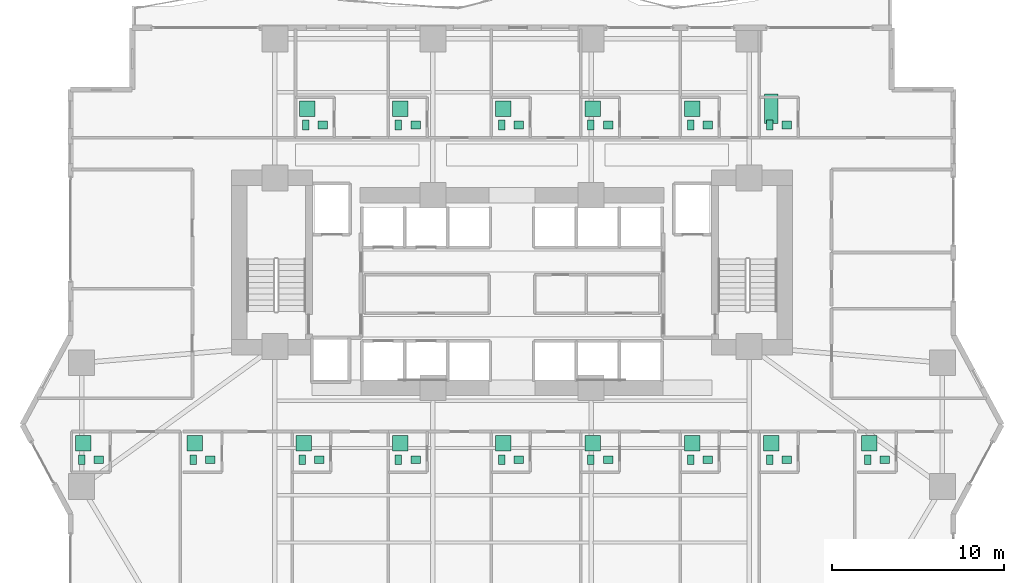
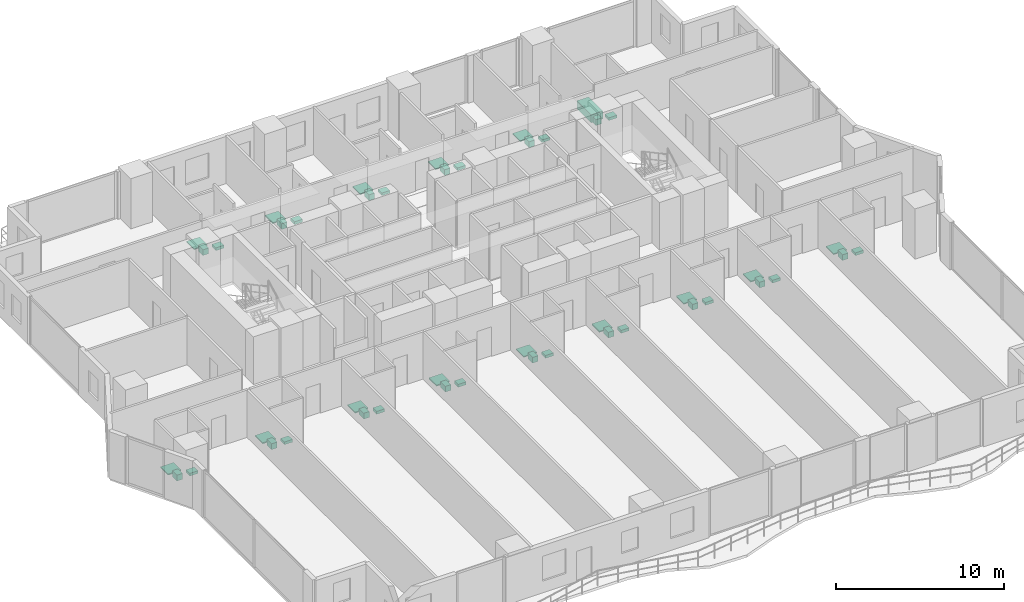
# One storey, part 28 of 28: 45 sanitary terminals.
"""IFC4 building model written with IfcOpenShell, lengths in metres."""

from ifc_helpers import new_model, si_unit, direction, frame, origin, origin_2d, place, context, subcontext, project, spatial, rectangle, extrude, material, type_object, element, save


model = new_model("IFC4")

# Units and contexts
model_context = context("Model", 3, precision=1e-05, world=origin(), true_north=direction((0.0, 1.0)))
body_context = subcontext(model_context, "Body", "Model", "MODEL_VIEW")
ifc_project = project(units=[si_unit("LENGTHUNIT", "METRE"), si_unit("AREAUNIT", "SQUARE_METRE"), si_unit("VOLUMEUNIT", "CUBIC_METRE"), si_unit("PLANEANGLEUNIT", "RADIAN"), si_unit("MASSUNIT", "GRAM", prefix="KILO")], contexts=[model_context])

# Site, building, storey
site_placement = place(None, origin())
site = spatial("IfcSite", under=ifc_project, at=site_placement, CompositionType="ELEMENT")
building_placement = place(site_placement, origin())
building = spatial("IfcBuilding", under=site, at=building_placement, Name="Zuhayl Quay Hotel", CompositionType="ELEMENT")
storey_placement = place(building_placement, frame((0.0, 0.0, 31.25)))
storey = spatial("IfcBuildingStorey", under=building, at=storey_placement, Name="L06", CompositionType="ELEMENT", Elevation=31.25)

# Sanitary terminals
ifc_material = material(Name="Vitreous Porcelain Sanitaryware")
sanitary_terminal_type_1 = type_object("IfcSanitaryTerminalType", Name="SAN_BASIN", PredefinedType="WASHHANDBASIN", material=ifc_material)
for number, where, z_axis, x_axis, name in (
    (1, (-11.010009765625, 17.43994140625, 0.0), (0.0, 0.0, 1.0), (1.0, 0.0, 0.0), "L06 Sanitary Fixture WASHHANDBASIN"),
    (2, (-5.610107421875, 17.43994140625, 0.0), (0.0, 0.0, 1.0), (1.0, 0.0, 0.0), "L06 Sanitary Fixture WASHHANDBASIN"),
    (3, (0.389892578125, 17.43994140625, 0.0), (0.0, 0.0, 1.0), (1.0, 0.0, 0.0), "L06 Sanitary Fixture WASHHANDBASIN"),
    (4, (5.590087890625, 17.43994140625, 0.0), (0.0, 0.0, 1.0), (1.0, 0.0, 0.0), "L06 Sanitary Fixture WASHHANDBASIN"),
    (5, (11.389892578125, 17.43994140625, 0.0), (0.0, 0.0, 1.0), (1.0, 0.0, 0.0), "L06 Sanitary Fixture WASHHANDBASIN"),
    (6, (15.989990234375, 17.43994140625, 0.0), (0.0, 0.0, 1.0), (1.0, 0.0, 0.0), "L06 Sanitary Fixture WASHHANDBASIN"),
    (7, (-24.050048828125, -2.0400390625, 0.0), (0.0, 0.0, 1.0), (1.0, 0.0, 0.0), "L06 Sanitary Fixture WASHHANDBASIN"),
    (8, (-17.550048828125, -2.0400390625, 0.0), (0.0, 0.0, 1.0), (1.0, 0.0, 0.0), "L06 Sanitary Fixture WASHHANDBASIN"),
    (9, (-11.2099609375, -2.0400390625, 0.0), (0.0, 0.0, 1.0), (1.0, 0.0, 0.0), "L06 Sanitary Fixture WASHHANDBASIN"),
    (10, (-5.610107421875, -2.0400390625, 0.0), (0.0, 0.0, 1.0), (1.0, 0.0, 0.0), "L06 Sanitary Fixture WASHHANDBASIN"),
    (11, (0.389892578125, -2.0400390625, 0.0), (0.0, 0.0, 1.0), (1.0, 0.0, 0.0), "L06 Sanitary Fixture WASHHANDBASIN"),
    (12, (5.590087890625, -2.0400390625, 0.0), (0.0, 0.0, 1.0), (1.0, 0.0, 0.0), "L06 Sanitary Fixture WASHHANDBASIN"),
    (13, (11.389892578125, -2.0400390625, 0.0), (0.0, 0.0, 1.0), (1.0, 0.0, 0.0), "L06 Sanitary Fixture WASHHANDBASIN"),
    (14, (15.989990234375, -2.0400390625, 0.0), (0.0, 0.0, 1.0), (1.0, 0.0, 0.0), "L06 Sanitary Fixture WASHHANDBASIN"),
    (15, (21.68994140625, -2.0400390625, 0.0), (0.0, 0.0, 1.0), (1.0, 0.0, 0.0), "L06 Sanitary Fixture WASHHANDBASIN"),
):
    element("IfcSanitaryTerminal", number, at=place(storey_placement, frame(where, z_axis=z_axis, x_axis=x_axis)), inside=storey, type_object=sanitary_terminal_type_1, Name=name, PredefinedType="WASHHANDBASIN", context=body_context, shape_type="SweptSolid", body=[
        extrude(rectangle(XDim=0.550048828125, YDim=0.449951171875, at=origin_2d()), origin(), (0.0, 0.0, 1.0), 0.199951171875),
    ])
sanitary_terminal_type_2 = type_object("IfcSanitaryTerminalType", Name="SAN_BATH", PredefinedType="BATH", material=ifc_material)
sanitary_terminal_placement = place(storey_placement, frame((15.090087890625, 18.389892578125, 0.0), z_axis=(0.0, 0.0, 1.0), x_axis=(1.0, 0.0, 0.0)))
element("IfcSanitaryTerminal", 16, at=sanitary_terminal_placement, inside=storey, type_object=sanitary_terminal_type_2, Name="L06 Sanitary Fixture BATH", PredefinedType="BATH", context=body_context, shape_type="SweptSolid", body=[
    extrude(rectangle(XDim=0.800048828125, YDim=1.699951171875, at=origin_2d()), origin(), (0.0, 0.0, 1.0), 0.580078125),
])
sanitary_terminal_type_3 = type_object("IfcSanitaryTerminalType", Name="SAN_SHOWER", PredefinedType="SHOWER", material=ifc_material)
for number, where, z_axis, x_axis, name in (
    (17, (-11.909912109375, 18.389892578125, 0.0), (0.0, 0.0, 1.0), (1.0, 0.0, 0.0), "L06 Sanitary Fixture SHOWER"),
    (18, (-6.510009765625, 18.389892578125, 0.0), (0.0, 0.0, 1.0), (1.0, 0.0, 0.0), "L06 Sanitary Fixture SHOWER"),
    (19, (-0.510009765625, 18.389892578125, 0.0), (0.0, 0.0, 1.0), (1.0, 0.0, 0.0), "L06 Sanitary Fixture SHOWER"),
    (20, (4.68994140625, 18.389892578125, 0.0), (0.0, 0.0, 1.0), (1.0, 0.0, 0.0), "L06 Sanitary Fixture SHOWER"),
    (21, (10.489990234375, 18.389892578125, 0.0), (0.0, 0.0, 1.0), (1.0, 0.0, 0.0), "L06 Sanitary Fixture SHOWER"),
    (22, (-24.949951171875, -1.090087890625, 0.0), (0.0, 0.0, 1.0), (1.0, 0.0, 0.0), "L06 Sanitary Fixture SHOWER"),
    (23, (-18.449951171875, -1.090087890625, 0.0), (0.0, 0.0, 1.0), (1.0, 0.0, 0.0), "L06 Sanitary Fixture SHOWER"),
    (24, (-12.110107421875, -1.090087890625, 0.0), (0.0, 0.0, 1.0), (1.0, 0.0, 0.0), "L06 Sanitary Fixture SHOWER"),
    (25, (-6.510009765625, -1.090087890625, 0.0), (0.0, 0.0, 1.0), (1.0, 0.0, 0.0), "L06 Sanitary Fixture SHOWER"),
    (26, (-0.510009765625, -1.090087890625, 0.0), (0.0, 0.0, 1.0), (1.0, 0.0, 0.0), "L06 Sanitary Fixture SHOWER"),
    (27, (4.68994140625, -1.090087890625, 0.0), (0.0, 0.0, 1.0), (1.0, 0.0, 0.0), "L06 Sanitary Fixture SHOWER"),
    (28, (10.489990234375, -1.090087890625, 0.0), (0.0, 0.0, 1.0), (1.0, 0.0, 0.0), "L06 Sanitary Fixture SHOWER"),
    (29, (15.090087890625, -1.090087890625, 0.0), (0.0, 0.0, 1.0), (1.0, 0.0, 0.0), "L06 Sanitary Fixture SHOWER"),
    (30, (20.7900390625, -1.090087890625, 0.0), (0.0, 0.0, 1.0), (1.0, 0.0, 0.0), "L06 Sanitary Fixture SHOWER"),
):
    element("IfcSanitaryTerminal", number, at=place(storey_placement, frame(where, z_axis=z_axis, x_axis=x_axis)), inside=storey, type_object=sanitary_terminal_type_3, Name=name, PredefinedType="SHOWER", context=body_context, shape_type="SweptSolid", body=[
        extrude(rectangle(XDim=0.89990234375, YDim=0.89990234375, at=origin_2d()), origin(), (0.0, 0.0, 1.0), 0.080078125),
    ])
sanitary_terminal_type_4 = type_object("IfcSanitaryTerminalType", Name="SAN_WC", PredefinedType="TOILETPAN", material=ifc_material)
for number, where, z_axis, x_axis, name in (
    (31, (-12.010009765625, 17.43994140625, 0.0), (0.0, 0.0, 1.0), (1.0, 0.0, 0.0), "L06 Sanitary Fixture TOILETPAN"),
    (32, (-6.610107421875, 17.43994140625, 0.0), (0.0, 0.0, 1.0), (1.0, 0.0, 0.0), "L06 Sanitary Fixture TOILETPAN"),
    (33, (-0.610107421875, 17.43994140625, 0.0), (0.0, 0.0, 1.0), (1.0, 0.0, 0.0), "L06 Sanitary Fixture TOILETPAN"),
    (34, (4.590087890625, 17.43994140625, 0.0), (0.0, 0.0, 1.0), (1.0, 0.0, 0.0), "L06 Sanitary Fixture TOILETPAN"),
    (35, (10.389892578125, 17.43994140625, 0.0), (0.0, 0.0, 1.0), (1.0, 0.0, 0.0), "L06 Sanitary Fixture TOILETPAN"),
    (36, (14.989990234375, 17.43994140625, 0.0), (0.0, 0.0, 1.0), (1.0, 0.0, 0.0), "L06 Sanitary Fixture TOILETPAN"),
    (37, (-25.050048828125, -2.0400390625, 0.0), (0.0, 0.0, 1.0), (1.0, 0.0, 0.0), "L06 Sanitary Fixture TOILETPAN"),
    (38, (-18.550048828125, -2.0400390625, 0.0), (0.0, 0.0, 1.0), (1.0, 0.0, 0.0), "L06 Sanitary Fixture TOILETPAN"),
    (39, (-12.2099609375, -2.0400390625, 0.0), (0.0, 0.0, 1.0), (1.0, 0.0, 0.0), "L06 Sanitary Fixture TOILETPAN"),
    (40, (-6.610107421875, -2.0400390625, 0.0), (0.0, 0.0, 1.0), (1.0, 0.0, 0.0), "L06 Sanitary Fixture TOILETPAN"),
    (41, (-0.610107421875, -2.0400390625, 0.0), (0.0, 0.0, 1.0), (1.0, 0.0, 0.0), "L06 Sanitary Fixture TOILETPAN"),
    (42, (4.590087890625, -2.0400390625, 0.0), (0.0, 0.0, 1.0), (1.0, 0.0, 0.0), "L06 Sanitary Fixture TOILETPAN"),
    (43, (10.389892578125, -2.0400390625, 0.0), (0.0, 0.0, 1.0), (1.0, 0.0, 0.0), "L06 Sanitary Fixture TOILETPAN"),
    (44, (14.989990234375, -2.0400390625, 0.0), (0.0, 0.0, 1.0), (1.0, 0.0, 0.0), "L06 Sanitary Fixture TOILETPAN"),
    (45, (20.68994140625, -2.0400390625, 0.0), (0.0, 0.0, 1.0), (1.0, 0.0, 0.0), "L06 Sanitary Fixture TOILETPAN"),
):
    element("IfcSanitaryTerminal", number, at=place(storey_placement, frame(where, z_axis=z_axis, x_axis=x_axis)), inside=storey, type_object=sanitary_terminal_type_4, Name=name, PredefinedType="TOILETPAN", context=body_context, shape_type="SweptSolid", body=[
        extrude(rectangle(XDim=0.3798828125, YDim=0.56005859375, at=origin_2d()), origin(), (0.0, 0.0, 1.0), 0.419921875),
    ])

save(model, "model.ifc")
